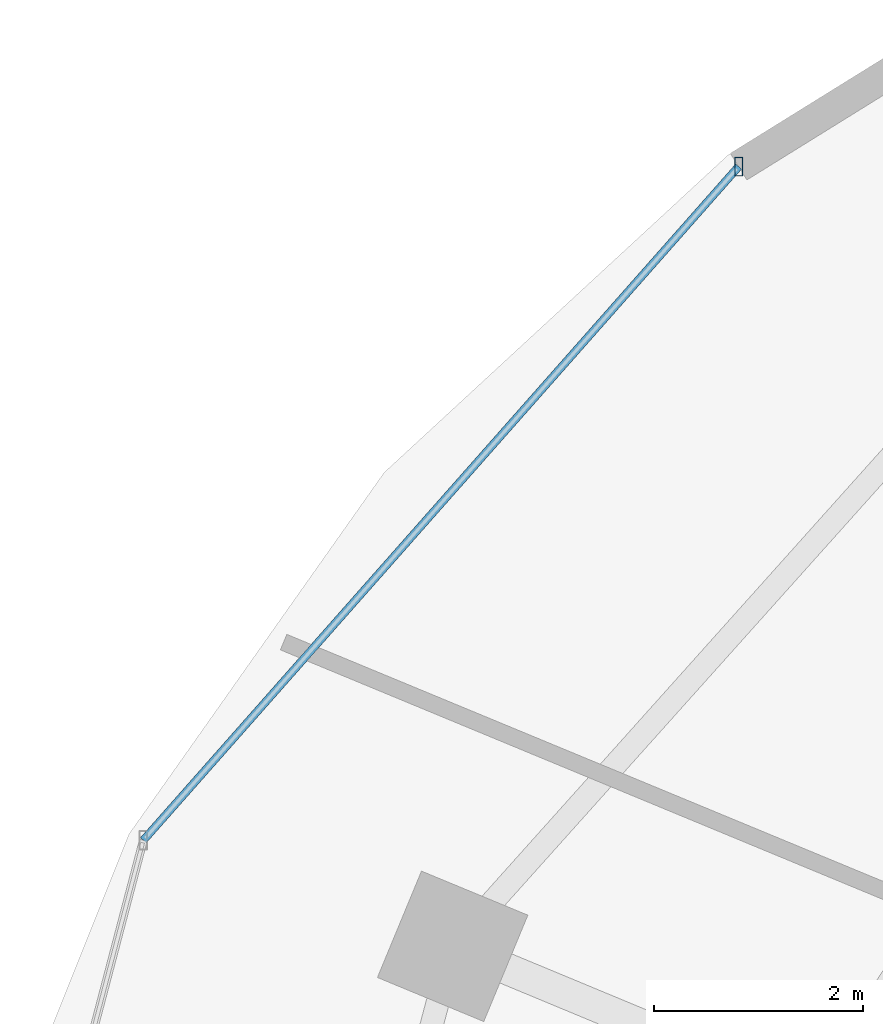
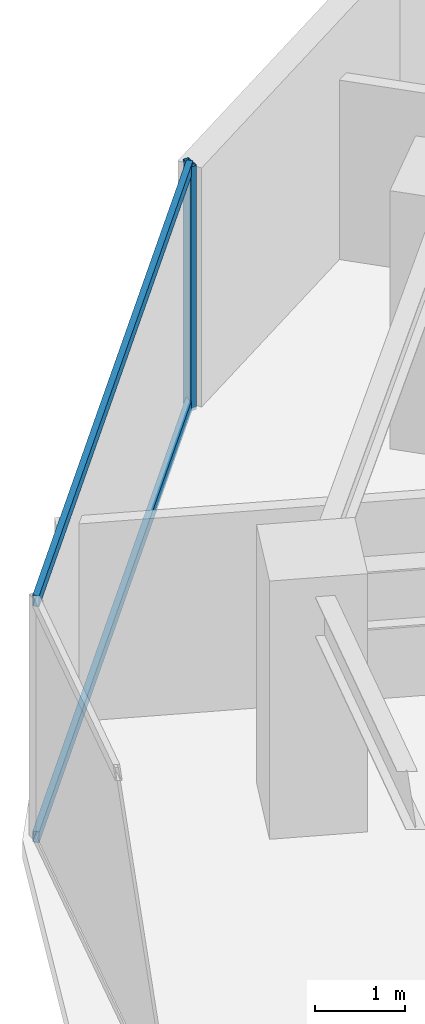
# One storey, part 17 of 31: 3 members, 1 element without a shape of its own.
"""IFC4 building model written with IfcOpenShell, lengths in metres."""

from ifc_helpers import new_model, si_unit, direction, frame, origin, origin_2d, place, context, subcontext, project, spatial, hollow_rectangle, extrude, material, material_profile, profile_set, type_object, element, aggregate, save


model = new_model("IFC4")

# Units and contexts
model_context = context("Model", 3, precision=1e-05, world=origin(), true_north=direction((0.0, 1.0)))
body_context = subcontext(model_context, "Body", "Model", "MODEL_VIEW")
ifc_project = project(units=[si_unit("LENGTHUNIT", "METRE"), si_unit("AREAUNIT", "SQUARE_METRE"), si_unit("VOLUMEUNIT", "CUBIC_METRE"), si_unit("PLANEANGLEUNIT", "RADIAN"), si_unit("MASSUNIT", "GRAM", prefix="KILO")], contexts=[model_context])

# Site, building, storey
site_placement = place(None, origin())
site = spatial("IfcSite", under=ifc_project, at=site_placement, CompositionType="ELEMENT")
building_placement = place(site_placement, origin())
building = spatial("IfcBuilding", under=site, at=building_placement, Name="Vorneva Point Tower", CompositionType="ELEMENT")
storey_placement = place(building_placement, frame((0.0, 0.0, 103.300048828125)))
storey = spatial("IfcBuildingStorey", under=building, at=storey_placement, Name="L27", CompositionType="ELEMENT", Elevation=103.300048828125)

# Curtain wall, members
ifc_material = material(Name="Pale anodised aluminium", Category="aluminium")
curtain_wall_type = type_object("IfcCurtainWallType", Name="CW-HTL-SYS", PredefinedType="NOTDEFINED", material=ifc_material)
curtain_wall_placement = place(storey_placement, origin())
curtain_wall = element("IfcCurtainWall", 1, at=curtain_wall_placement, inside=storey, type_object=curtain_wall_type, Name="L27 Unitised Curtain Wall CW-L27-R03", PredefinedType="NOTDEFINED")
ifc_material_profile_1 = material_profile(ifc_material, hollow_rectangle(XDim=0.074951171875, YDim=0.179931640625, WallThickness=0.00390625, at=origin_2d()), Name="AL-MUL 180x75x4")
ifc_profile_set_1 = profile_set([ifc_material_profile_1], Name="Pale anodised aluminium")
member_type_1 = type_object("IfcMemberType", Name="CW-MUL-180", PredefinedType="MULLION", material=ifc_profile_set_1)
member_1_placement = place(storey_placement, frame((19.4384765625, 40.0361328125, -0.0400390625), z_axis=(0.0, 0.0, 1.0), x_axis=(1.0, 0.0, 0.0)))
member_1 = element("IfcMember", 2, at=member_1_placement, type_object=member_type_1, Name="CW-L27-R03 Mullion 01", PredefinedType="MULLION", context=body_context, shape_type="SweptSolid", body=[
    extrude(hollow_rectangle(XDim=0.074951171875, YDim=0.179931640625, WallThickness=0.00390625, at=origin_2d()), origin(), (0.0, 0.0, 1.0), 3.31005859375),
])
ifc_material_profile_2 = material_profile(ifc_material, hollow_rectangle(XDim=0.074951171875, YDim=0.14990234375, WallThickness=0.00390625, at=origin_2d()), Name="AL-TRN 150x75x4")
ifc_profile_set_2 = profile_set([ifc_material_profile_2], Name="Pale anodised aluminium")
member_type_2 = type_object("IfcMemberType", Name="CW-TRN-150", PredefinedType="USERDEFINED", material=ifc_profile_set_2)
member_2_placement = place(storey_placement, frame((19.4384765625, 40.0361328125, 0.02001953125), z_axis=(-0.662137326257, -0.74938251993, 0.0), x_axis=(0.74938251993, -0.662137326257, 0.0)))
member_2 = element("IfcMember", 3, at=member_2_placement, type_object=member_type_2, Name="CW-L27-R03 Transom 01.1", ObjectType="TRANSOM", PredefinedType="USERDEFINED", context=body_context, shape_type="SweptSolid", body=[
    extrude(hollow_rectangle(XDim=0.074951171875, YDim=0.14990234375, WallThickness=0.00390625, at=origin_2d()), origin(), (0.0, 0.0, 1.0), 8.59375),
])
member_3_placement = place(storey_placement, frame((19.4384765625, 40.0361328125, 3.219970703125), z_axis=(-0.662137326257, -0.74938251993, 0.0), x_axis=(0.74938251993, -0.662137326257, 0.0)))
member_3 = element("IfcMember", 4, at=member_3_placement, type_object=member_type_2, Name="CW-L27-R03 Transom 01.2", ObjectType="TRANSOM", PredefinedType="USERDEFINED", context=body_context, shape_type="SweptSolid", body=[
    extrude(hollow_rectangle(XDim=0.074951171875, YDim=0.14990234375, WallThickness=0.00390625, at=origin_2d()), origin(), (0.0, 0.0, 1.0), 8.59375),
])
aggregate(curtain_wall, [member_1, member_2, member_3])

save(model, "model.ifc")
